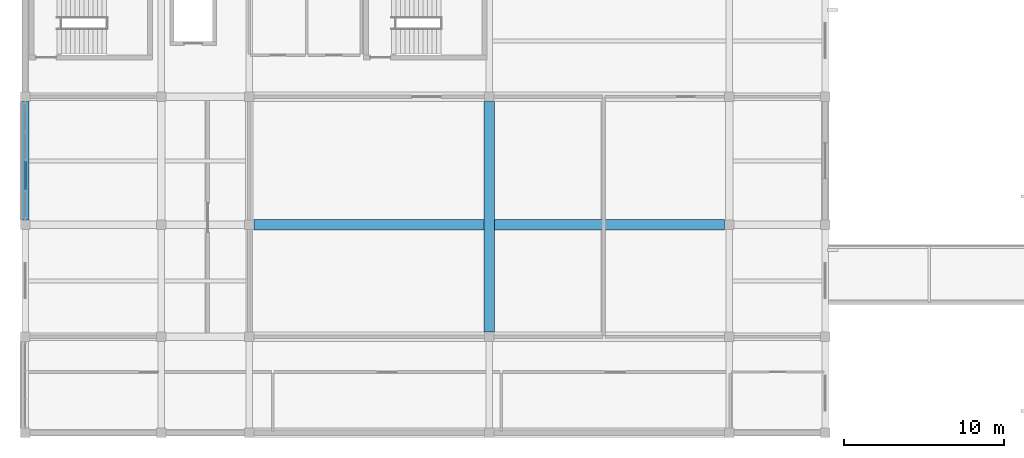
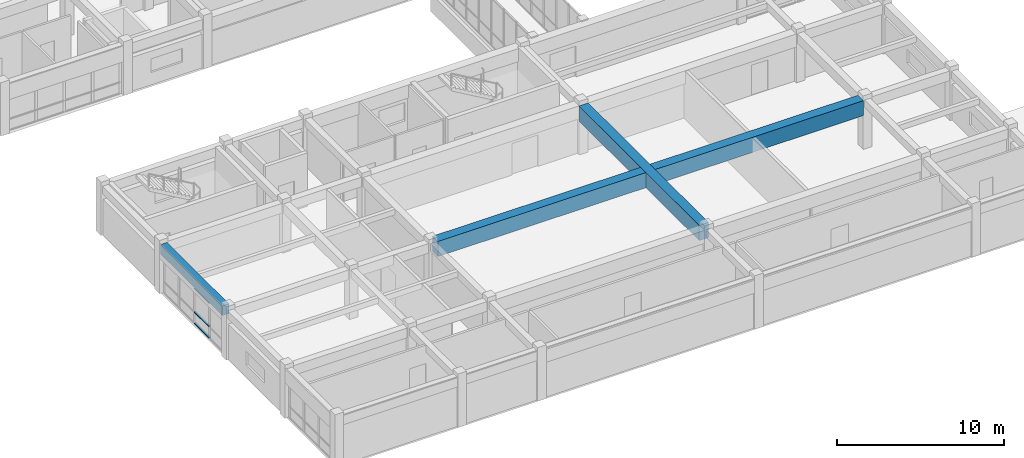
# One storey, part 4 of 66: 3 beams, 3 members, 1 element without a shape of its own.
"""IFC4 building model written with IfcOpenShell, lengths in metres."""

import ifcopenshell
import ifcopenshell.guid

model = None  # the IFC model being written
_history = None  # IfcOwnerHistory: only IFC2X3 demands one
_inside = {}  # id of a spatial element -> (the spatial element, [elements in it])
_under = {}  # id of a project, library or spatial element -> (it, [spatial elements below it])
_declared = {}  # id of a project -> (the project, [libraries it declares])
_typed = {}  # id of a type object -> (the type object, [elements of that type])
_made_of = {}  # id of a material, layer set ... -> (it, [elements and type objects made of it])


def new_model(schema):
    """Start an empty IFC model of exactly this schema.

    Asked for "IFC4X3", IfcOpenShell would pick the latest addendum, in which some entities
    have other attributes; the version numbers below select the first issue.
    IFC2X3 requires an IfcOwnerHistory on every rooted entity: one is made here for all.
    """
    global model, _history
    if schema == "IFC4X3":
        model = ifcopenshell.file(schema_version=(4, 3, 0, 0))
    else:
        model = ifcopenshell.file(schema=schema)
    _inside.clear()
    _under.clear()
    _declared.clear()
    _typed.clear()
    _made_of.clear()
    _history = None
    if model.schema == "IFC2X3":
        org = make("IfcOrganization", Name="unknown")
        user = make(
            "IfcPersonAndOrganization",
            ThePerson=make("IfcPerson", FamilyName="unknown"),
            TheOrganization=org,
        )
        app = make(
            "IfcApplication",
            ApplicationDeveloper=org,
            Version="unknown",
            ApplicationFullName="unknown",
            ApplicationIdentifier="unknown",
        )
        _history = make(
            "IfcOwnerHistory",
            OwningUser=user,
            OwningApplication=app,
            ChangeAction="ADDED",
            CreationDate=0,
        )
    return model


def make(cls, **values):
    """One entity of the class cls with the attributes given. An attribute that is None is left unset."""
    return model.create_entity(
        cls, **{name: value for name, value in values.items() if value is not None}
    )


def rooted(cls, **values):
    """An entity with a GlobalId (a new one), such as an element, a storey or a relation."""
    return make(cls, GlobalId=ifcopenshell.guid.new(), OwnerHistory=_history, **values)


def si_unit(unit_type, name, prefix=None):
    """IfcSIUnit, for example si_unit("LENGTHUNIT", "METRE", prefix="MILLI")."""
    return make("IfcSIUnit", UnitType=unit_type, Prefix=prefix, Name=name)


def assignment(units):
    """IfcUnitAssignment: the units of a project."""
    return None if units is None else make("IfcUnitAssignment", Units=units)


def point(xyz):
    """IfcCartesianPoint."""
    return None if xyz is None else make("IfcCartesianPoint", Coordinates=xyz)


def direction(xyz):
    """IfcDirection."""
    return None if xyz is None else make("IfcDirection", DirectionRatios=xyz)


def frame(location, z_axis=None, x_axis=None):
    """IfcAxis2Placement3D, a coordinate frame: its origin and axes. An axis left out is left unset."""
    return make(
        "IfcAxis2Placement3D",
        Location=point(location),
        Axis=direction(z_axis),
        RefDirection=direction(x_axis),
    )


def frame_2d(location, x_axis=None):
    """IfcAxis2Placement2D, a coordinate frame in the plane: its origin and x axis."""
    return make(
        "IfcAxis2Placement2D", Location=point(location), RefDirection=direction(x_axis)
    )


def origin():
    """The frame at (0, 0, 0) with its axes left unset."""
    return frame((0.0, 0.0, 0.0))


def origin_2d():
    """The frame at (0, 0) in the plane with its x axis left unset."""
    return frame_2d((0.0, 0.0))


def place(relative_to, where):
    """IfcLocalPlacement: puts the frame where relative to a parent placement (None: the world)."""
    return make(
        "IfcLocalPlacement", PlacementRelTo=relative_to, RelativePlacement=where
    )


def context(
    kind, dimensions, precision=None, world=None, true_north=None, identifier=None
):
    """IfcGeometricRepresentationContext, for example the 3D "Model" context."""
    return make(
        "IfcGeometricRepresentationContext",
        ContextIdentifier=identifier,
        ContextType=kind,
        CoordinateSpaceDimension=dimensions,
        Precision=precision,
        WorldCoordinateSystem=world,
        TrueNorth=true_north,
    )


def subcontext(parent, identifier, kind, view, scale=None):
    """IfcGeometricRepresentationSubContext, for example "Body" below "Model"."""
    return make(
        "IfcGeometricRepresentationSubContext",
        ContextIdentifier=identifier,
        ContextType=kind,
        ParentContext=parent,
        TargetScale=scale,
        TargetView=view,
    )


def project(units=None, contexts=None):
    """IfcProject with its units and contexts."""
    return rooted(
        "IfcProject",
        Name="project",
        RepresentationContexts=contexts,
        UnitsInContext=assignment(units),
    )


def spatial(cls, under=None, at=None, **own):
    """A site, building, storey or space (cls), placed at a placement, below another one or the project."""
    s = rooted(cls, ObjectPlacement=at, **own)
    if under is not None:
        _under.setdefault(under.id(), (under, []))[1].append(s)
    return s


def profile(cls, at=None, kind="AREA", **sizes):
    """A parametric profile (cls). Its sizes go by their IFC names, for example OverallWidth=200.0."""
    return make(cls, ProfileType=kind, Position=at, **sizes)


def rectangle(**sizes):
    """IfcRectangleProfileDef."""
    return profile("IfcRectangleProfileDef", **sizes)


def extrude(swept, where, along, depth):
    """IfcExtrudedAreaSolid: the profile swept, set in the frame where, extruded along a direction by depth."""
    return make(
        "IfcExtrudedAreaSolid",
        SweptArea=swept,
        Position=where,
        ExtrudedDirection=direction(along),
        Depth=depth,
    )


def shape(context_of_items, identifier, shape_type, items):
    """IfcShapeRepresentation: the items that make up one representation, for example the "Body"."""
    return make(
        "IfcShapeRepresentation",
        ContextOfItems=context_of_items,
        RepresentationIdentifier=identifier,
        RepresentationType=shape_type,
        Items=items,
    )


def material(Name=None, Category=None):
    """IfcMaterial."""
    return make("IfcMaterial", Name=Name, Category=Category)


def layer(
    of_material, thickness, ventilated=None, Name=None, Category=None, Priority=None
):
    """IfcMaterialLayer: one layer of a wall or slab, of a material (None: an air gap)."""
    return make(
        "IfcMaterialLayer",
        Material=of_material,
        LayerThickness=thickness,
        IsVentilated=ventilated,
        Name=Name,
        Category=Category,
        Priority=Priority,
    )


def layer_set(layers, Name=None):
    """IfcMaterialLayerSet."""
    return make("IfcMaterialLayerSet", MaterialLayers=layers, LayerSetName=Name)


def material_profile(
    of_material, cross_section, Name=None, Category=None, Priority=None
):
    """IfcMaterialProfile: a cross section and its material."""
    return make(
        "IfcMaterialProfile",
        Name=Name,
        Material=of_material,
        Profile=cross_section,
        Priority=Priority,
        Category=Category,
    )


def profile_set(profiles, Name=None, composite=None):
    """IfcMaterialProfileSet."""
    return make(
        "IfcMaterialProfileSet",
        Name=Name,
        MaterialProfiles=profiles,
        CompositeProfile=composite,
    )


def made_of(thing, what):
    """Note that an element or type object is made of a material, layer set ...; save() writes the relation."""
    if what is not None:
        _made_of.setdefault(what.id(), (what, []))[1].append(thing)
    return thing


def type_object(cls, material=None, **own):
    """A type object (cls), such as IfcWallType, which elements share."""
    return made_of(rooted(cls, **own), material)


def element(
    cls,
    number,
    at=None,
    inside=None,
    cuts=None,
    type_object=None,
    material=None,
    context=None,
    identifier="Body",
    shape_type=None,
    held_by="IfcProductDefinitionShape",
    body=None,
    shapes=None,
    **own,
):
    """One element of the class cls, such as IfcWall. Its Tag is "e" and its number.

    at: its placement. inside: the storey or other place that contains it. cuts: it is an
    opening in that element (IfcRelVoidsElement). A single representation is given by context,
    identifier, shape_type and body (its items); several are given by shapes. held_by: the class
    of the entity that holds the representations. save() writes the other relations.
    """
    e = rooted(cls, Tag="e%d" % number, ObjectPlacement=at, **own)
    if body is not None:
        shapes = [shape(context, identifier, shape_type, body)]
    if shapes is not None:
        e.Representation = make(held_by, Representations=shapes)
    if inside is not None:
        _inside.setdefault(inside.id(), (inside, []))[1].append(e)
    if cuts is not None:
        rooted(
            "IfcRelVoidsElement", RelatingBuildingElement=cuts, RelatedOpeningElement=e
        )
    if type_object is not None:
        _typed.setdefault(type_object.id(), (type_object, []))[1].append(e)
    return made_of(e, material)


def aggregate(whole, parts):
    """IfcRelAggregates: a whole, such as a stair, and the parts it consists of."""
    return rooted("IfcRelAggregates", RelatingObject=whole, RelatedObjects=parts)


def save(model, path):
    """Write the relations noted so far, then the file.

    IfcRelAggregates (storeys below a building ...), IfcRelContainedInSpatialStructure (elements
    in a storey), IfcRelDefinesByType, IfcRelAssociatesMaterial and IfcRelDeclares: one each for
    every whole, place, type object, material and project.
    """
    for whole, parts in _under.values():
        aggregate(whole, parts)
    for where, things in _inside.values():
        rooted(
            "IfcRelContainedInSpatialStructure",
            RelatedElements=things,
            RelatingStructure=where,
        )
    for kind, things in _typed.values():
        rooted("IfcRelDefinesByType", RelatedObjects=things, RelatingType=kind)
    for what, things in _made_of.values():
        rooted("IfcRelAssociatesMaterial", RelatedObjects=things, RelatingMaterial=what)
    for by, libraries in _declared.values():
        rooted("IfcRelDeclares", RelatingContext=by, RelatedDefinitions=libraries)
    model.write(path)


model = new_model("IFC4")

# Units and contexts
model_context = context("Model", 3, precision=1e-05, world=origin(), true_north=direction((0.0, 1.0)))
body_context = subcontext(model_context, "Body", "Model", "MODEL_VIEW")
ifc_project = project(units=[si_unit("LENGTHUNIT", "METRE"), si_unit("AREAUNIT", "SQUARE_METRE"), si_unit("VOLUMEUNIT", "CUBIC_METRE"), si_unit("PLANEANGLEUNIT", "RADIAN"), si_unit("MASSUNIT", "GRAM", prefix="KILO")], contexts=[model_context])

# Site, building, storey
site_placement = place(None, origin())
site = spatial("IfcSite", under=ifc_project, at=site_placement, CompositionType="ELEMENT")
building_placement = place(site_placement, origin())
building = spatial("IfcBuilding", under=site, at=building_placement, Name="Naurynzar Civic Courthouse", CompositionType="ELEMENT")
storey_placement = place(building_placement, frame((0.0, 0.0, 14.39990234375)))
storey = spatial("IfcBuildingStorey", under=building, at=storey_placement, Name="L04", CompositionType="ELEMENT", Elevation=14.39990234375)

# Beams
ifc_material_1 = material(Name="Concrete C40/50", Category="concrete")
ifc_material_profile_1 = material_profile(ifc_material_1, rectangle(XDim=0.64990234375, YDim=1.10009765625, at=origin_2d()), Name="PTB 650x1100")
ifc_profile_set_1 = profile_set([ifc_material_profile_1], Name="Concrete C40/50")
beam_type_1 = type_object("IfcBeamType", Name="BM-PT-650x1100", PredefinedType="T_BEAM", material=ifc_profile_set_1)
beam_1_placement = place(storey_placement, frame((20.300048828125, 17.0, 3.030029296875), z_axis=(1.0, 0.0, 0.0), x_axis=(0.0, 1.0, 0.0)))
element("IfcBeam", 1, at=beam_1_placement, inside=storey, type_object=beam_type_1, Name="V4 beam X-1923 L04", PredefinedType="T_BEAM", context=body_context, shape_type="SweptSolid", body=[
    extrude(rectangle(XDim=0.64990234375, YDim=1.10009765625, at=origin_2d()), origin(), (0.0, 0.0, 1.0), 29.39990234375),
])
beam_2_placement = place(storey_placement, frame((35.0, 10.300048828125, 3.030029296875), z_axis=(0.0, 1.0, 0.0), x_axis=(-1.0, 0.0, 0.0)))
element("IfcBeam", 2, at=beam_2_placement, inside=storey, type_object=beam_type_1, Name="V4 girder Y-1948 L04", PredefinedType="T_BEAM", context=body_context, shape_type="SweptSolid", body=[
    extrude(rectangle(XDim=0.64990234375, YDim=1.10009765625, at=origin_2d()), origin(), (0.0, 0.0, 1.0), 14.39990234375),
])
ifc_material_2 = material(Name="Concrete C40/50", Category="concrete")
ifc_material_profile_2 = material_profile(ifc_material_2, rectangle(XDim=0.449951171875, YDim=0.699951171875, at=origin_2d()), Name="RCB 450x700")
ifc_profile_set_2 = profile_set([ifc_material_profile_2], Name="Concrete C40/50")
beam_type_2 = type_object("IfcBeamType", Name="BM-RC-450x700", PredefinedType="BEAM", material=ifc_profile_set_2)
beam_3_placement = place(storey_placement, frame((6.0, 17.300048828125, 3.22998046875), z_axis=(0.0, 1.0, 0.0), x_axis=(-1.0, 0.0, 0.0)))
element("IfcBeam", 3, at=beam_3_placement, inside=storey, type_object=beam_type_2, Name="V4 girder Y-1937 L04", PredefinedType="BEAM", context=body_context, shape_type="SweptSolid", body=[
    extrude(rectangle(XDim=0.449951171875, YDim=0.699951171875, at=origin_2d()), origin(), (0.0, 0.0, 1.0), 7.39990234375),
])

# Curtain wall, members
ifc_material_3 = material(Name="Aluminium 6063-T6", Category="aluminium")
ifc_layer = layer(ifc_material_3, 0.159912109375)
ifc_layer_set = layer_set([ifc_layer], Name="CW-UNIT-1800")
curtain_wall_type = type_object("IfcCurtainWallType", Name="CW-UNIT-1800", PredefinedType="NOTDEFINED", material=ifc_layer_set)
curtain_wall_placement = place(storey_placement, origin())
curtain_wall = element("IfcCurtainWall", 4, at=curtain_wall_placement, inside=storey, type_object=curtain_wall_type, Name="V4 unitised curtain wall 81 L04", PredefinedType="NOTDEFINED")
ifc_material_4 = material(Name="Aluminium 6063-T6", Category="aluminium")
ifc_material_profile_3 = material_profile(ifc_material_4, rectangle(XDim=0.1298828125, YDim=0.070068359375, at=origin_2d()), Name="ALU TRANSOM 70x130")
ifc_profile_set_3 = profile_set([ifc_material_profile_3], Name="Aluminium 6063-T6")
member_type = type_object("IfcMemberType", Name="CWT-70x130", PredefinedType="USERDEFINED", material=ifc_profile_set_3)
member_1_placement = place(storey_placement, frame((6.0, 19.2099609375, 0.03515625), z_axis=(0.0, 1.0, 0.0), x_axis=(-1.0, 0.0, 0.0)))
member_1 = element("IfcMember", 5, at=member_1_placement, type_object=member_type, Name="CW-02 transom 2.1", ObjectType="TRANSOM", PredefinedType="USERDEFINED", context=body_context, shape_type="SweptSolid", body=[
    extrude(rectangle(XDim=0.1298828125, YDim=0.070068359375, at=origin_2d()), origin(), (0.0, 0.0, 1.0), 1.755126953125),
])
member_2_placement = place(storey_placement, frame((6.0, 19.2099609375, 0.85009765625), z_axis=(0.0, 1.0, 0.0), x_axis=(-1.0, 0.0, 0.0)))
member_2 = element("IfcMember", 6, at=member_2_placement, type_object=member_type, Name="CW-02 transom 2.2", ObjectType="TRANSOM", PredefinedType="USERDEFINED", context=body_context, shape_type="SweptSolid", body=[
    extrude(rectangle(XDim=0.1298828125, YDim=0.070068359375, at=origin_2d()), origin(), (0.0, 0.0, 1.0), 1.755126953125),
])
member_3_placement = place(storey_placement, frame((6.0, 19.2099609375, 2.5751953125), z_axis=(0.0, 1.0, 0.0), x_axis=(-1.0, 0.0, 0.0)))
member_3 = element("IfcMember", 7, at=member_3_placement, type_object=member_type, Name="CW-02 transom 2.3", ObjectType="TRANSOM", PredefinedType="USERDEFINED", context=body_context, shape_type="SweptSolid", body=[
    extrude(rectangle(XDim=0.1298828125, YDim=0.070068359375, at=origin_2d()), origin(), (0.0, 0.0, 1.0), 1.755126953125),
])
aggregate(curtain_wall, [member_1, member_2, member_3])

save(model, "model.ifc")
